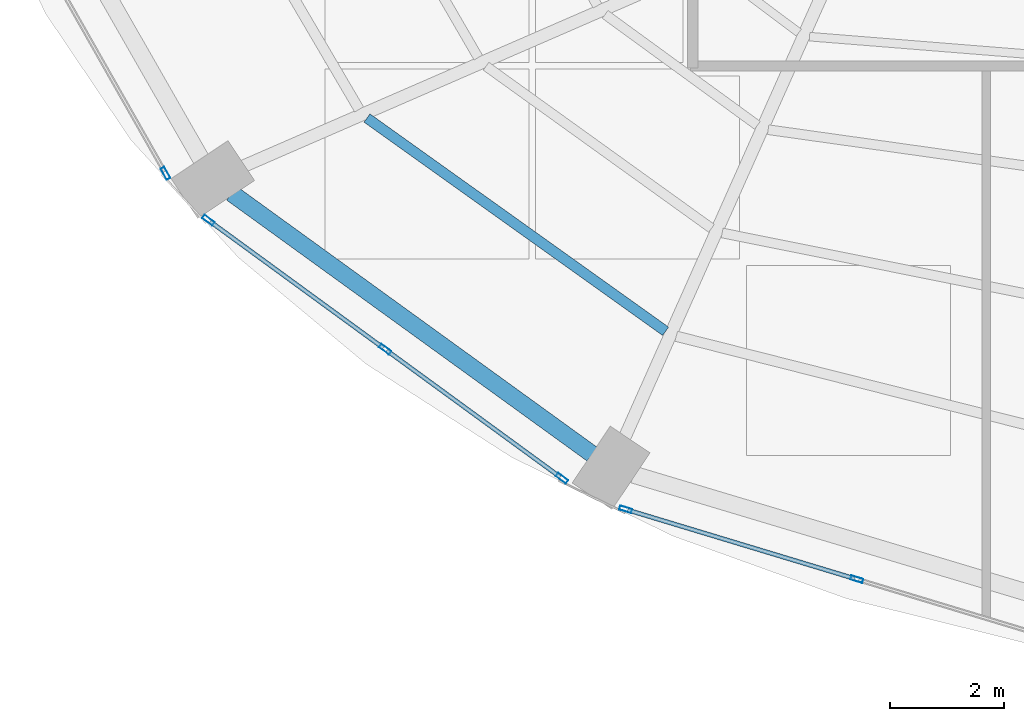
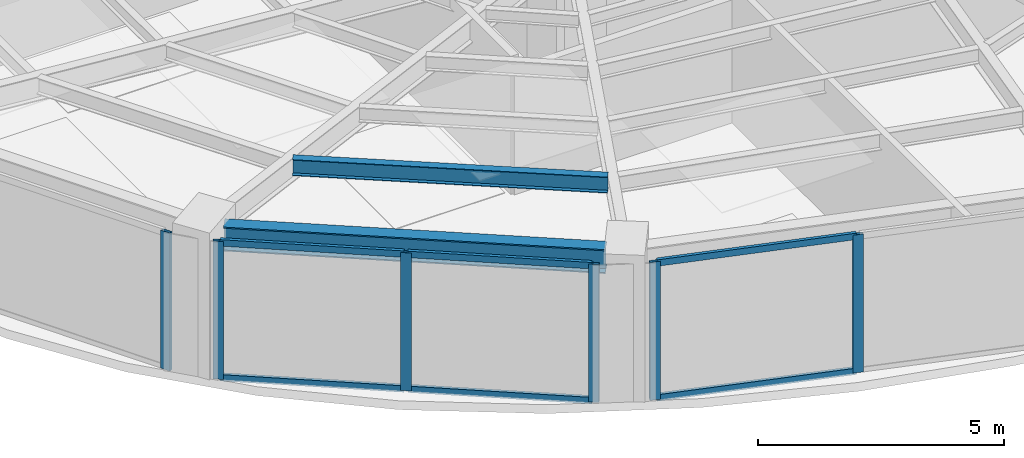
# One storey, part 2 of 23: 12 members, 2 beams, 3 elements without a shape of their own.
"""IFC4 building model written with IfcOpenShell, lengths in metres."""

from ifc_helpers import new_model, si_unit, direction, frame, origin, origin_2d, place, context, subcontext, project, spatial, hollow_rectangle, i_section, extrude, material, layer, layer_set, material_profile, profile_set, type_object, element, aggregate, save


model = new_model("IFC4")

# Units and contexts
model_context = context("Model", 3, precision=1e-05, world=origin(), true_north=direction((0.0, 1.0)))
body_context = subcontext(model_context, "Body", "Model", "MODEL_VIEW")
ifc_project = project(units=[si_unit("LENGTHUNIT", "METRE"), si_unit("AREAUNIT", "SQUARE_METRE"), si_unit("VOLUMEUNIT", "CUBIC_METRE"), si_unit("PLANEANGLEUNIT", "RADIAN"), si_unit("MASSUNIT", "GRAM", prefix="KILO")], contexts=[model_context])

# Site, building, storey
site_placement = place(None, origin())
site = spatial("IfcSite", under=ifc_project, at=site_placement, CompositionType="ELEMENT")
building_placement = place(site_placement, origin())
building = spatial("IfcBuilding", under=site, at=building_placement, Name="Lazwardi Medical Tower", CompositionType="ELEMENT")
storey_placement = place(building_placement, frame((0.0, 0.0, 125.52001953125)))
storey = spatial("IfcBuildingStorey", under=building, at=storey_placement, Name="L32", CompositionType="ELEMENT", Elevation=125.52001953125)

# Beams
ifc_material_1 = material(Name="Steel S355", Category="steel")
ifc_material_profile_1 = material_profile(ifc_material_1, i_section(OverallWidth=0.300048828125, OverallDepth=0.60009765625, WebThickness=0.015380859375, FlangeThickness=0.030029296875, at=origin_2d()), Name="HEB 600")
ifc_profile_set_1 = profile_set([ifc_material_profile_1], Name="Steel S355")
beam_type_1 = type_object("IfcBeamType", Name="BM-RB-Z2", PredefinedType="BEAM", material=ifc_profile_set_1)
beam_1_placement = place(storey_placement, frame((15.25439453125, 15.164794921875, 3.1279296875), z_axis=(0.81005674773, -0.586351486275, 0.0), x_axis=(0.586351486275, 0.81005674773, 0.0)))
element("IfcBeam", 1, at=beam_1_placement, inside=storey, type_object=beam_type_1, Name="Ring beam RB-03 B14 L32", PredefinedType="BEAM", context=body_context, shape_type="SweptSolid", body=[
    extrude(i_section(OverallWidth=0.300048828125, OverallDepth=0.60009765625, WebThickness=0.015380859375, FlangeThickness=0.030029296875, at=origin_2d()), origin(), (0.0, 0.0, 1.0), 7.81396484375),
])
ifc_material_profile_2 = material_profile(ifc_material_1, i_section(OverallWidth=0.179931640625, OverallDepth=0.39990234375, WebThickness=0.008544921875, FlangeThickness=0.013427734375, at=origin_2d()), Name="IPE 400")
ifc_profile_set_2 = profile_set([ifc_material_profile_2], Name="Steel S355")
beam_type_2 = type_object("IfcBeamType", Name="BM-SJ-01", PredefinedType="JOIST", material=ifc_profile_set_2)
beam_2_placement = place(storey_placement, frame((17.630615234375, 16.485595703125, 3.22802734375), z_axis=(0.813748834317, -0.581216684763, 0.0), x_axis=(0.581216684763, 0.813748834317, 0.0)))
element("IfcBeam", 2, at=beam_2_placement, inside=storey, type_object=beam_type_2, Name="Secondary joist SJ-01 R1 B14 L32", PredefinedType="JOIST", context=body_context, shape_type="SweptSolid", body=[
    extrude(i_section(OverallWidth=0.179931640625, OverallDepth=0.39990234375, WebThickness=0.008544921875, FlangeThickness=0.013427734375, at=origin_2d()), origin(), (0.0, 0.0, 1.0), 6.4423828125),
])

# Curtain wall, member
ifc_material_2 = material(Name="Anodised bronze aluminium and solar control glazing", Category="aluminium")
ifc_layer = layer(ifc_material_2, 0.195068359375)
ifc_layer_set = layer_set([ifc_layer], Name="Anodised bronze aluminium and solar control glazing")
curtain_wall_type = type_object("IfcCurtainWallType", Name="CW-SYS-03", PredefinedType="NOTDEFINED", material=ifc_layer_set)
curtain_wall_1_placement = place(storey_placement, origin())
curtain_wall_1 = element("IfcCurtainWall", 3, at=curtain_wall_1_placement, inside=storey, type_object=curtain_wall_type, Name="L32 Unitised bronze curtain wall CW-03", PredefinedType="NOTDEFINED")
ifc_material_3 = material(Name="Anodised bronze aluminium", Category="aluminium")
ifc_material_profile_3 = material_profile(ifc_material_3, hollow_rectangle(XDim=0.074951171875, YDim=0.219970703125, WallThickness=0.00390625, at=origin_2d()), Name="ALU-MULLION 220x75x4")
ifc_profile_set_3 = profile_set([ifc_material_profile_3], Name="Anodised bronze aluminium")
member_type_1 = type_object("IfcMemberType", Name="CW-MUL-01", PredefinedType="MULLION", material=ifc_profile_set_3)
member_1_placement = place(storey_placement, frame((14.0927734375, 15.51416015625, 0.0), z_axis=(0.0, 0.0, 1.0), x_axis=(0.869687265712, 0.493603140041, 0.0)))
member_1 = element("IfcMember", 4, at=member_1_placement, type_object=member_type_1, Name="CW-03 mullion 2", PredefinedType="MULLION", context=body_context, shape_type="SweptSolid", body=[
    extrude(hollow_rectangle(XDim=0.074951171875, YDim=0.219970703125, WallThickness=0.00390625, at=origin_2d()), origin(), (0.0, 0.0, 1.0), 3.427978515625),
])
aggregate(curtain_wall_1, [member_1])

# Curtain wall, members
curtain_wall_2_placement = place(storey_placement, origin())
curtain_wall_2 = element("IfcCurtainWall", 5, at=curtain_wall_2_placement, inside=storey, type_object=curtain_wall_type, Name="L32 Unitised bronze curtain wall CW-03", PredefinedType="NOTDEFINED")
member_2_placement = place(storey_placement, frame((14.844970703125, 14.691162109375, 0.0), z_axis=(0.0, 0.0, 1.0), x_axis=(0.589530882802, 0.807745837639, 0.0)))
member_2 = element("IfcMember", 6, at=member_2_placement, type_object=member_type_1, Name="CW-03 mullion 1", PredefinedType="MULLION", context=body_context, shape_type="SweptSolid", body=[
    extrude(hollow_rectangle(XDim=0.074951171875, YDim=0.219970703125, WallThickness=0.00390625, at=origin_2d()), origin(), (0.0, 0.0, 1.0), 3.427978515625),
])
member_3_placement = place(storey_placement, frame((17.948974609375, 12.42578125, 0.0), z_axis=(0.0, 0.0, 1.0), x_axis=(0.589530882802, 0.807745837639, 0.0)))
member_3 = element("IfcMember", 7, at=member_3_placement, type_object=member_type_1, Name="CW-03 mullion 2", PredefinedType="MULLION", context=body_context, shape_type="SweptSolid", body=[
    extrude(hollow_rectangle(XDim=0.074951171875, YDim=0.219970703125, WallThickness=0.00390625, at=origin_2d()), origin(), (0.0, 0.0, 1.0), 3.427978515625),
])
member_4_placement = place(storey_placement, frame((21.052734375, 10.160400390625, 0.0), z_axis=(0.0, 0.0, 1.0), x_axis=(0.589530882802, 0.807745837639, 0.0)))
member_4 = element("IfcMember", 8, at=member_4_placement, type_object=member_type_1, Name="CW-03 mullion 3", PredefinedType="MULLION", context=body_context, shape_type="SweptSolid", body=[
    extrude(hollow_rectangle(XDim=0.074951171875, YDim=0.219970703125, WallThickness=0.00390625, at=origin_2d()), origin(), (0.0, 0.0, 1.0), 3.427978515625),
])

curtain_wall_3_placement = place(storey_placement, origin())
curtain_wall_3 = element("IfcCurtainWall", 9, at=curtain_wall_3_placement, inside=storey, type_object=curtain_wall_type, Name="L32 Unitised bronze curtain wall CW-03", PredefinedType="NOTDEFINED")
member_5_placement = place(storey_placement, frame((22.171630859375, 9.614013671875, 0.0), z_axis=(0.0, 0.0, 1.0), x_axis=(0.28937381157, 0.957216170558, 0.0)))
member_5 = element("IfcMember", 10, at=member_5_placement, type_object=member_type_1, Name="CW-03 mullion 1", PredefinedType="MULLION", context=body_context, shape_type="SweptSolid", body=[
    extrude(hollow_rectangle(XDim=0.074951171875, YDim=0.219970703125, WallThickness=0.00390625, at=origin_2d()), origin(), (0.0, 0.0, 1.0), 3.427978515625),
])
member_6_placement = place(storey_placement, frame((26.230712890625, 8.386962890625, 0.0), z_axis=(0.0, 0.0, 1.0), x_axis=(0.28937381157, 0.957216170558, 0.0)))
member_6 = element("IfcMember", 11, at=member_6_placement, type_object=member_type_1, Name="CW-03 mullion 2", PredefinedType="MULLION", context=body_context, shape_type="SweptSolid", body=[
    extrude(hollow_rectangle(XDim=0.074951171875, YDim=0.219970703125, WallThickness=0.00390625, at=origin_2d()), origin(), (0.0, 0.0, 1.0), 3.427978515625),
])

# Member
ifc_material_profile_4 = material_profile(ifc_material_3, hollow_rectangle(XDim=0.074951171875, YDim=0.159912109375, WallThickness=0.00390625, at=origin_2d()), Name="ALU-TRANSOM 160x75x4")
ifc_profile_set_4 = profile_set([ifc_material_profile_4], Name="Anodised bronze aluminium")
member_type_2 = type_object("IfcMemberType", Name="CW-TRN-01", PredefinedType="USERDEFINED", material=ifc_profile_set_4)
member_7_placement = place(storey_placement, frame((14.87548828125, 14.6689453125, 0.03759765625), z_axis=(0.807731734271, -0.589550206049, 0.0), x_axis=(0.589550206049, 0.807731734271, 0.0)))
member_7 = element("IfcMember", 12, at=member_7_placement, type_object=member_type_2, Name="CW-03 transom 1.1", ObjectType="TRANSOM", PredefinedType="USERDEFINED", context=body_context, shape_type="SweptSolid", body=[
    extrude(hollow_rectangle(XDim=0.074951171875, YDim=0.159912109375, WallThickness=0.00390625, at=origin_2d()), origin(), (0.0, 0.0, 1.0), 3.767578125),
])

member_8_placement = place(storey_placement, frame((14.87548828125, 14.6689453125, 3.390380859375), z_axis=(0.807731734271, -0.589550206049, 0.0), x_axis=(0.589550206049, 0.807731734271, 0.0)))
member_8 = element("IfcMember", 13, at=member_8_placement, type_object=member_type_2, Name="CW-03 transom 1.2", ObjectType="TRANSOM", PredefinedType="USERDEFINED", context=body_context, shape_type="SweptSolid", body=[
    extrude(hollow_rectangle(XDim=0.074951171875, YDim=0.159912109375, WallThickness=0.00390625, at=origin_2d()), origin(), (0.0, 0.0, 1.0), 3.767578125),
])

member_9_placement = place(storey_placement, frame((17.979248046875, 12.403564453125, 0.03759765625), z_axis=(0.80776259199, -0.58950792614, 0.0), x_axis=(0.58950792614, 0.80776259199, 0.0)))
member_9 = element("IfcMember", 14, at=member_9_placement, type_object=member_type_2, Name="CW-03 transom 2.1", ObjectType="TRANSOM", PredefinedType="USERDEFINED", context=body_context, shape_type="SweptSolid", body=[
    extrude(hollow_rectangle(XDim=0.074951171875, YDim=0.159912109375, WallThickness=0.00390625, at=origin_2d()), origin(), (0.0, 0.0, 1.0), 3.767578125),
])

member_10_placement = place(storey_placement, frame((17.979248046875, 12.403564453125, 3.390380859375), z_axis=(0.80776259199, -0.58950792614, 0.0), x_axis=(0.58950792614, 0.80776259199, 0.0)))
member_10 = element("IfcMember", 15, at=member_10_placement, type_object=member_type_2, Name="CW-03 transom 2.2", ObjectType="TRANSOM", PredefinedType="USERDEFINED", context=body_context, shape_type="SweptSolid", body=[
    extrude(hollow_rectangle(XDim=0.074951171875, YDim=0.159912109375, WallThickness=0.00390625, at=origin_2d()), origin(), (0.0, 0.0, 1.0), 3.767578125),
])

aggregate(curtain_wall_2, [member_2, member_3, member_4, member_7, member_8, member_9, member_10])

member_11_placement = place(storey_placement, frame((22.20751953125, 9.603271484375, 0.03759765625), z_axis=(0.957204630929, -0.289411980623, 0.0), x_axis=(0.289411980623, 0.957204630929, 0.0)))
member_11 = element("IfcMember", 16, at=member_11_placement, type_object=member_type_2, Name="CW-03 transom 1.1", ObjectType="TRANSOM", PredefinedType="USERDEFINED", context=body_context, shape_type="SweptSolid", body=[
    extrude(hollow_rectangle(XDim=0.074951171875, YDim=0.159912109375, WallThickness=0.00390625, at=origin_2d()), origin(), (0.0, 0.0, 1.0), 4.16552734375),
])

member_12_placement = place(storey_placement, frame((22.20751953125, 9.603271484375, 3.390380859375), z_axis=(0.957204630929, -0.289411980623, 0.0), x_axis=(0.289411980623, 0.957204630929, 0.0)))
member_12 = element("IfcMember", 17, at=member_12_placement, type_object=member_type_2, Name="CW-03 transom 1.2", ObjectType="TRANSOM", PredefinedType="USERDEFINED", context=body_context, shape_type="SweptSolid", body=[
    extrude(hollow_rectangle(XDim=0.074951171875, YDim=0.159912109375, WallThickness=0.00390625, at=origin_2d()), origin(), (0.0, 0.0, 1.0), 4.16552734375),
])

aggregate(curtain_wall_3, [member_5, member_6, member_11, member_12])

save(model, "model.ifc")
